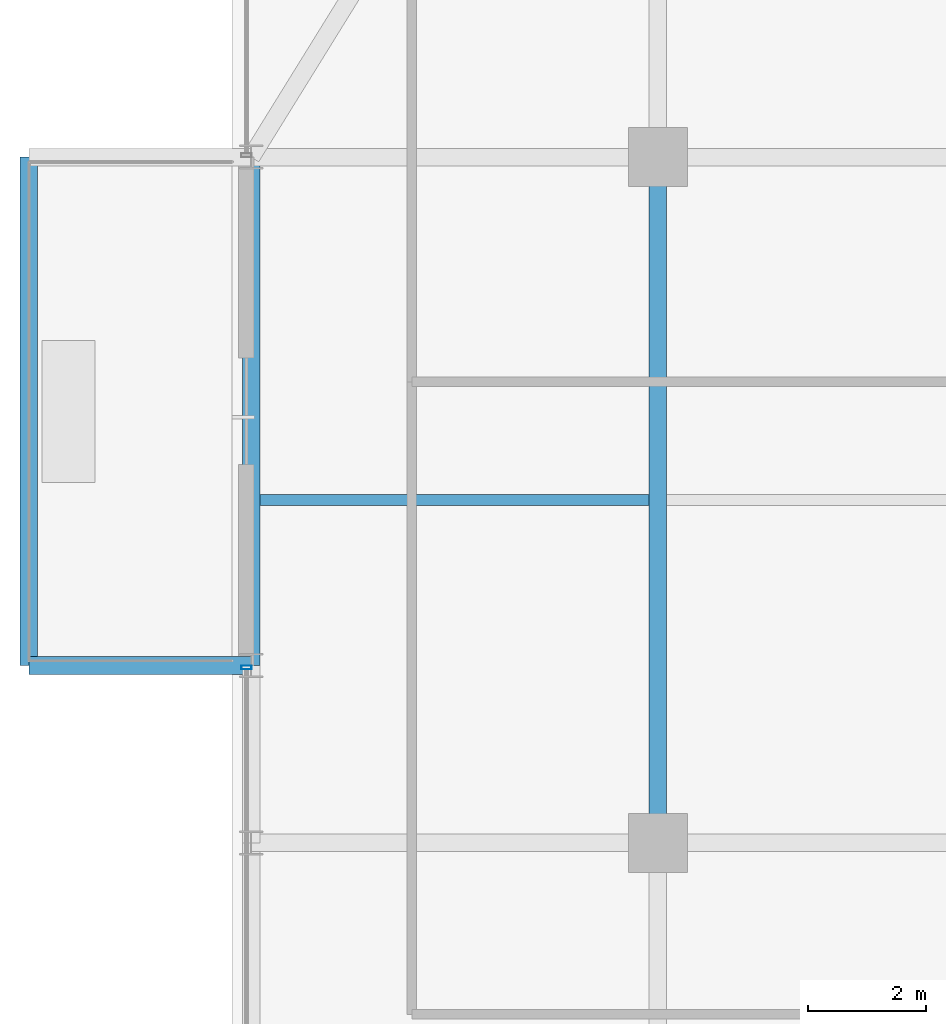
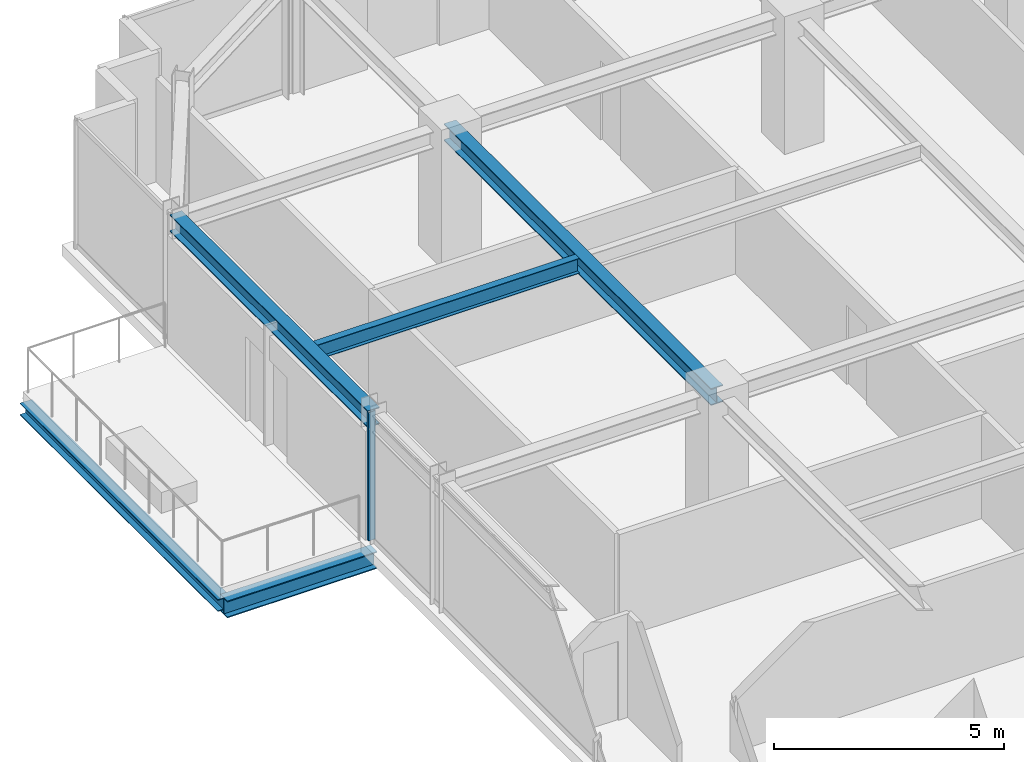
# One storey, part 18 of 36: 5 beams, 1 member, 1 element without a shape of its own.
"""IFC4 building model written with IfcOpenShell, lengths in metres."""

import ifcopenshell
import ifcopenshell.guid

model = None  # the IFC model being written
_history = None  # IfcOwnerHistory: only IFC2X3 demands one
_inside = {}  # id of a spatial element -> (the spatial element, [elements in it])
_under = {}  # id of a project, library or spatial element -> (it, [spatial elements below it])
_declared = {}  # id of a project -> (the project, [libraries it declares])
_typed = {}  # id of a type object -> (the type object, [elements of that type])
_made_of = {}  # id of a material, layer set ... -> (it, [elements and type objects made of it])


def new_model(schema):
    """Start an empty IFC model of exactly this schema.

    Asked for "IFC4X3", IfcOpenShell would pick the latest addendum, in which some entities
    have other attributes; the version numbers below select the first issue.
    IFC2X3 requires an IfcOwnerHistory on every rooted entity: one is made here for all.
    """
    global model, _history
    if schema == "IFC4X3":
        model = ifcopenshell.file(schema_version=(4, 3, 0, 0))
    else:
        model = ifcopenshell.file(schema=schema)
    _inside.clear()
    _under.clear()
    _declared.clear()
    _typed.clear()
    _made_of.clear()
    _history = None
    if model.schema == "IFC2X3":
        org = make("IfcOrganization", Name="unknown")
        user = make(
            "IfcPersonAndOrganization",
            ThePerson=make("IfcPerson", FamilyName="unknown"),
            TheOrganization=org,
        )
        app = make(
            "IfcApplication",
            ApplicationDeveloper=org,
            Version="unknown",
            ApplicationFullName="unknown",
            ApplicationIdentifier="unknown",
        )
        _history = make(
            "IfcOwnerHistory",
            OwningUser=user,
            OwningApplication=app,
            ChangeAction="ADDED",
            CreationDate=0,
        )
    return model


def make(cls, **values):
    """One entity of the class cls with the attributes given. An attribute that is None is left unset."""
    return model.create_entity(
        cls, **{name: value for name, value in values.items() if value is not None}
    )


def rooted(cls, **values):
    """An entity with a GlobalId (a new one), such as an element, a storey or a relation."""
    return make(cls, GlobalId=ifcopenshell.guid.new(), OwnerHistory=_history, **values)


def si_unit(unit_type, name, prefix=None):
    """IfcSIUnit, for example si_unit("LENGTHUNIT", "METRE", prefix="MILLI")."""
    return make("IfcSIUnit", UnitType=unit_type, Prefix=prefix, Name=name)


def assignment(units):
    """IfcUnitAssignment: the units of a project."""
    return None if units is None else make("IfcUnitAssignment", Units=units)


def point(xyz):
    """IfcCartesianPoint."""
    return None if xyz is None else make("IfcCartesianPoint", Coordinates=xyz)


def direction(xyz):
    """IfcDirection."""
    return None if xyz is None else make("IfcDirection", DirectionRatios=xyz)


def frame(location, z_axis=None, x_axis=None):
    """IfcAxis2Placement3D, a coordinate frame: its origin and axes. An axis left out is left unset."""
    return make(
        "IfcAxis2Placement3D",
        Location=point(location),
        Axis=direction(z_axis),
        RefDirection=direction(x_axis),
    )


def frame_2d(location, x_axis=None):
    """IfcAxis2Placement2D, a coordinate frame in the plane: its origin and x axis."""
    return make(
        "IfcAxis2Placement2D", Location=point(location), RefDirection=direction(x_axis)
    )


def origin():
    """The frame at (0, 0, 0) with its axes left unset."""
    return frame((0.0, 0.0, 0.0))


def origin_2d():
    """The frame at (0, 0) in the plane with its x axis left unset."""
    return frame_2d((0.0, 0.0))


def place(relative_to, where):
    """IfcLocalPlacement: puts the frame where relative to a parent placement (None: the world)."""
    return make(
        "IfcLocalPlacement", PlacementRelTo=relative_to, RelativePlacement=where
    )


def context(
    kind, dimensions, precision=None, world=None, true_north=None, identifier=None
):
    """IfcGeometricRepresentationContext, for example the 3D "Model" context."""
    return make(
        "IfcGeometricRepresentationContext",
        ContextIdentifier=identifier,
        ContextType=kind,
        CoordinateSpaceDimension=dimensions,
        Precision=precision,
        WorldCoordinateSystem=world,
        TrueNorth=true_north,
    )


def subcontext(parent, identifier, kind, view, scale=None):
    """IfcGeometricRepresentationSubContext, for example "Body" below "Model"."""
    return make(
        "IfcGeometricRepresentationSubContext",
        ContextIdentifier=identifier,
        ContextType=kind,
        ParentContext=parent,
        TargetScale=scale,
        TargetView=view,
    )


def project(units=None, contexts=None):
    """IfcProject with its units and contexts."""
    return rooted(
        "IfcProject",
        Name="project",
        RepresentationContexts=contexts,
        UnitsInContext=assignment(units),
    )


def spatial(cls, under=None, at=None, **own):
    """A site, building, storey or space (cls), placed at a placement, below another one or the project."""
    s = rooted(cls, ObjectPlacement=at, **own)
    if under is not None:
        _under.setdefault(under.id(), (under, []))[1].append(s)
    return s


def profile(cls, at=None, kind="AREA", **sizes):
    """A parametric profile (cls). Its sizes go by their IFC names, for example OverallWidth=200.0."""
    return make(cls, ProfileType=kind, Position=at, **sizes)


def hollow_rectangle(**sizes):
    """IfcRectangleHollowProfileDef."""
    return profile("IfcRectangleHollowProfileDef", **sizes)


def i_section(**sizes):
    """IfcIShapeProfileDef."""
    return profile("IfcIShapeProfileDef", **sizes)


def extrude(swept, where, along, depth):
    """IfcExtrudedAreaSolid: the profile swept, set in the frame where, extruded along a direction by depth."""
    return make(
        "IfcExtrudedAreaSolid",
        SweptArea=swept,
        Position=where,
        ExtrudedDirection=direction(along),
        Depth=depth,
    )


def shape(context_of_items, identifier, shape_type, items):
    """IfcShapeRepresentation: the items that make up one representation, for example the "Body"."""
    return make(
        "IfcShapeRepresentation",
        ContextOfItems=context_of_items,
        RepresentationIdentifier=identifier,
        RepresentationType=shape_type,
        Items=items,
    )


def source(mapping_origin, context_of_items, identifier, shape_type, items):
    """IfcRepresentationMap: a shape defined once, which mapped items show again and again."""
    return make(
        "IfcRepresentationMap",
        MappingOrigin=mapping_origin,
        MappedRepresentation=shape(context_of_items, identifier, shape_type, items),
    )


def transform(
    local_origin,
    x_axis=None,
    y_axis=None,
    z_axis=None,
    scale=None,
    scale2=None,
    scale3=None,
    uniform=True,
):
    """IfcCartesianTransformationOperator3D, or its non-uniform kind. x_axis, y_axis, z_axis: its Axis1, 2, 3."""
    if uniform:
        return make(
            "IfcCartesianTransformationOperator3D",
            Axis1=direction(x_axis),
            Axis2=direction(y_axis),
            LocalOrigin=point(local_origin),
            Scale=scale,
            Axis3=direction(z_axis),
        )
    return make(
        "IfcCartesianTransformationOperator3DnonUniform",
        Axis1=direction(x_axis),
        Axis2=direction(y_axis),
        LocalOrigin=point(local_origin),
        Scale=scale,
        Axis3=direction(z_axis),
        Scale2=scale2,
        Scale3=scale3,
    )


def mapped(mapping_source, mapping_target):
    """IfcMappedItem: shows the shape of a source again, moved by a transform."""
    return make(
        "IfcMappedItem", MappingSource=mapping_source, MappingTarget=mapping_target
    )


def material(Name=None, Category=None):
    """IfcMaterial."""
    return make("IfcMaterial", Name=Name, Category=Category)


def material_profile(
    of_material, cross_section, Name=None, Category=None, Priority=None
):
    """IfcMaterialProfile: a cross section and its material."""
    return make(
        "IfcMaterialProfile",
        Name=Name,
        Material=of_material,
        Profile=cross_section,
        Priority=Priority,
        Category=Category,
    )


def profile_set(profiles, Name=None, composite=None):
    """IfcMaterialProfileSet."""
    return make(
        "IfcMaterialProfileSet",
        Name=Name,
        MaterialProfiles=profiles,
        CompositeProfile=composite,
    )


def made_of(thing, what):
    """Note that an element or type object is made of a material, layer set ...; save() writes the relation."""
    if what is not None:
        _made_of.setdefault(what.id(), (what, []))[1].append(thing)
    return thing


def type_object(cls, material=None, **own):
    """A type object (cls), such as IfcWallType, which elements share."""
    return made_of(rooted(cls, **own), material)


def element(
    cls,
    number,
    at=None,
    inside=None,
    cuts=None,
    type_object=None,
    material=None,
    context=None,
    identifier="Body",
    shape_type=None,
    held_by="IfcProductDefinitionShape",
    body=None,
    shapes=None,
    **own,
):
    """One element of the class cls, such as IfcWall. Its Tag is "e" and its number.

    at: its placement. inside: the storey or other place that contains it. cuts: it is an
    opening in that element (IfcRelVoidsElement). A single representation is given by context,
    identifier, shape_type and body (its items); several are given by shapes. held_by: the class
    of the entity that holds the representations. save() writes the other relations.
    """
    e = rooted(cls, Tag="e%d" % number, ObjectPlacement=at, **own)
    if body is not None:
        shapes = [shape(context, identifier, shape_type, body)]
    if shapes is not None:
        e.Representation = make(held_by, Representations=shapes)
    if inside is not None:
        _inside.setdefault(inside.id(), (inside, []))[1].append(e)
    if cuts is not None:
        rooted(
            "IfcRelVoidsElement", RelatingBuildingElement=cuts, RelatedOpeningElement=e
        )
    if type_object is not None:
        _typed.setdefault(type_object.id(), (type_object, []))[1].append(e)
    return made_of(e, material)


def aggregate(whole, parts):
    """IfcRelAggregates: a whole, such as a stair, and the parts it consists of."""
    return rooted("IfcRelAggregates", RelatingObject=whole, RelatedObjects=parts)


def save(model, path):
    """Write the relations noted so far, then the file.

    IfcRelAggregates (storeys below a building ...), IfcRelContainedInSpatialStructure (elements
    in a storey), IfcRelDefinesByType, IfcRelAssociatesMaterial and IfcRelDeclares: one each for
    every whole, place, type object, material and project.
    """
    for whole, parts in _under.values():
        aggregate(whole, parts)
    for where, things in _inside.values():
        rooted(
            "IfcRelContainedInSpatialStructure",
            RelatedElements=things,
            RelatingStructure=where,
        )
    for kind, things in _typed.values():
        rooted("IfcRelDefinesByType", RelatedObjects=things, RelatingType=kind)
    for what, things in _made_of.values():
        rooted("IfcRelAssociatesMaterial", RelatedObjects=things, RelatingMaterial=what)
    for by, libraries in _declared.values():
        rooted("IfcRelDeclares", RelatingContext=by, RelatedDefinitions=libraries)
    model.write(path)


model = new_model("IFC4")

# Units and contexts
model_context = context("Model", 3, precision=1e-05, world=origin(), true_north=direction((0.0, 1.0)))
body_context = subcontext(model_context, "Body", "Model", "MODEL_VIEW")
ifc_project = project(units=[si_unit("LENGTHUNIT", "METRE"), si_unit("AREAUNIT", "SQUARE_METRE"), si_unit("VOLUMEUNIT", "CUBIC_METRE"), si_unit("PLANEANGLEUNIT", "RADIAN"), si_unit("MASSUNIT", "GRAM", prefix="KILO")], contexts=[model_context])

# Site, building, storey
site_placement = place(None, origin())
site = spatial("IfcSite", under=ifc_project, at=site_placement, CompositionType="ELEMENT")
building_placement = place(site_placement, origin())
building = spatial("IfcBuilding", under=site, at=building_placement, Name="Nahalor Promenade Grand Hotel", CompositionType="ELEMENT")
storey_placement = place(building_placement, frame((0.0, 0.0, 241.89990234375)))
storey = spatial("IfcBuildingStorey", under=building, at=storey_placement, Name="L62", CompositionType="ELEMENT", Elevation=241.89990234375)

# Beams
ifc_material_1 = material(Name="Steel S355JR", Category="steel")
ifc_material_profile_1 = material_profile(ifc_material_1, i_section(OverallWidth=0.3, OverallDepth=0.32, WebThickness=0.0115, FlangeThickness=0.0205, at=origin_2d()), Name="HEB 320")
ifc_profile_set_1 = profile_set([ifc_material_profile_1], Name="Steel S355JR")
beam_type_1 = type_object("IfcBeamType", Name="Beam-BalcEdge-HEB320", PredefinedType="SPANDREL", material=ifc_profile_set_1)
shared_shape_1 = source(origin(), body_context, "Body", "SweptSolid", [
    extrude(i_section(OverallWidth=0.3, OverallDepth=0.32, WebThickness=0.0115, FlangeThickness=0.0205, at=origin_2d()), origin(), (0.0, 0.0, 1.0), 8.60009765625),
])
beam_1_placement = place(storey_placement, frame((-27.639892578125, 8.39990234375, -0.43994140625), z_axis=(0.0, 1.0, 0.0), x_axis=(-1.0, 0.0, 0.0)))
element("IfcBeam", 1, at=beam_1_placement, inside=storey, type_object=beam_type_1, Name="BM-L62-BC-02-F", PredefinedType="SPANDREL", context=body_context, shape_type="MappedRepresentation", body=[
    mapped(shared_shape_1, transform((0.0, 0.0, 0.0), scale=1.0)),
])
ifc_material_profile_2 = material_profile(ifc_material_1, i_section(OverallWidth=0.3, OverallDepth=0.45, WebThickness=0.014, FlangeThickness=0.026, at=origin_2d()), Name="HEB 450")
ifc_profile_set_2 = profile_set([ifc_material_profile_2], Name="Steel S355JR")
beam_type_2 = type_object("IfcBeamType", Name="Beam-Outrigger-HEB450", PredefinedType="BEAM", material=ifc_profile_set_2)
shared_shape_2 = source(origin(), body_context, "Body", "SweptSolid", [
    extrude(i_section(OverallWidth=0.3, OverallDepth=0.45, WebThickness=0.014, FlangeThickness=0.026, at=origin_2d()), origin(), (0.0, 0.0, 1.0), 3.760009765625),
])
beam_2_placement = place(storey_placement, frame((-27.639892578125, 8.39990234375, -0.5048828125), z_axis=(1.0, 0.0, 0.0), x_axis=(0.0, 1.0, 0.0)))
element("IfcBeam", 2, at=beam_2_placement, inside=storey, type_object=beam_type_2, Name="BM-L62-BC-02-1", PredefinedType="BEAM", context=body_context, shape_type="MappedRepresentation", body=[
    mapped(shared_shape_2, transform((0.0, 0.0, 0.0), scale=1.0)),
])
ifc_material_profile_3 = material_profile(ifc_material_1, i_section(OverallWidth=0.3, OverallDepth=0.45, WebThickness=0.014, FlangeThickness=0.026, at=origin_2d()), Name="HEB 450")
ifc_profile_set_3 = profile_set([ifc_material_profile_3], Name="Steel S355JR")
beam_type_3 = type_object("IfcBeamType", Name="Beam-Spandrel-HEB450", PredefinedType="SPANDREL", material=ifc_profile_set_3)
shared_shape_3 = source(origin(), body_context, "Body", "SweptSolid", [
    extrude(i_section(OverallWidth=0.3, OverallDepth=0.45, WebThickness=0.014, FlangeThickness=0.026, at=origin_2d()), origin(), (0.0, 0.0, 1.0), 8.60009765625),
])
beam_3_placement = place(storey_placement, frame((-23.8798828125, 8.39990234375, 3.18505859375), z_axis=(0.0, 1.0, 0.0), x_axis=(-1.0, 0.0, 0.0)))
element("IfcBeam", 3, at=beam_3_placement, inside=storey, type_object=beam_type_3, Name="BM-L62-SP-W-4", PredefinedType="SPANDREL", context=body_context, shape_type="MappedRepresentation", body=[
    mapped(shared_shape_3, transform((0.0, 0.0, 0.0), scale=1.0)),
])
ifc_material_profile_4 = material_profile(ifc_material_1, i_section(OverallWidth=0.3, OverallDepth=0.45, WebThickness=0.014, FlangeThickness=0.026, at=origin_2d()), Name="HEB 450")
ifc_profile_set_4 = profile_set([ifc_material_profile_4], Name="Steel S355JR")
beam_type_4 = type_object("IfcBeamType", Name="Beam-Girder-HEB450", PredefinedType="BEAM", material=ifc_profile_set_4)
shared_shape_4 = source(origin(), body_context, "Body", "SweptSolid", [
    extrude(i_section(OverallWidth=0.3, OverallDepth=0.45, WebThickness=0.014, FlangeThickness=0.026, at=origin_2d()), origin(), (0.0, 0.0, 1.0), 11.60009765625),
])
beam_4_placement = place(storey_placement, frame((-17.0, 5.39990234375, 3.18505859375), z_axis=(0.0, 1.0, 0.0), x_axis=(-1.0, 0.0, 0.0)))
element("IfcBeam", 4, at=beam_4_placement, inside=storey, type_object=beam_type_4, Name="BM-L62-GY-0-3", PredefinedType="BEAM", context=body_context, shape_type="MappedRepresentation", body=[
    mapped(shared_shape_4, transform((0.0, 0.0, 0.0), scale=1.0)),
])
ifc_material_profile_5 = material_profile(ifc_material_1, i_section(OverallWidth=0.18, OverallDepth=0.4, WebThickness=0.0086, FlangeThickness=0.0135, at=origin_2d()), Name="IPE 400")
ifc_profile_set_5 = profile_set([ifc_material_profile_5], Name="Steel S355JR")
beam_type_5 = type_object("IfcBeamType", Name="Beam-Joist-IPE400", PredefinedType="JOIST", material=ifc_profile_set_5)
shared_shape_5 = source(origin(), body_context, "Body", "SweptSolid", [
    extrude(i_section(OverallWidth=0.18, OverallDepth=0.4, WebThickness=0.0086, FlangeThickness=0.0135, at=origin_2d()), origin(), (0.0, 0.0, 1.0), 6.580078125),
])
beam_5_placement = place(storey_placement, frame((-23.72998046875, 11.199951171875, 3.210205078125), z_axis=(1.0, 0.0, 0.0), x_axis=(0.0, 1.0, 0.0)))
element("IfcBeam", 5, at=beam_5_placement, inside=storey, type_object=beam_type_5, Name="BM-L62-JSW-1-0", PredefinedType="JOIST", context=body_context, shape_type="MappedRepresentation", body=[
    mapped(shared_shape_5, transform((0.0, 0.0, 0.0), scale=1.0)),
])

# Curtain wall, member
ifc_material_2 = material(Name="Anodised Bronze Aluminium EN AW-6063 T6", Category="aluminium")
curtain_wall_type = type_object("IfcCurtainWallType", Name="CW2 Typical Hotel Flush Bronze Unitised Curtain Wall", PredefinedType="USERDEFINED", material=ifc_material_2)
curtain_wall_placement = place(storey_placement, origin())
curtain_wall = element("IfcCurtainWall", 6, at=curtain_wall_placement, inside=storey, type_object=curtain_wall_type, Name="L62 Curtain Wall CW-L62-W-1", ObjectType="UNITISED_CURTAIN_WALL", PredefinedType="USERDEFINED")
ifc_material_profile_6 = material_profile(ifc_material_2, hollow_rectangle(XDim=0.065, YDim=0.18, WallThickness=0.004, at=origin_2d()), Name="CWM 65x180x4")
ifc_profile_set_6 = profile_set([ifc_material_profile_6], Name="Anodised Bronze Aluminium EN AW-6063 T6")
member_type = type_object("IfcMemberType", Name="CWM2 Typical Bronze Mullion 65x180", PredefinedType="MULLION", material=ifc_profile_set_6)
shared_shape_6 = source(origin(), body_context, "Body", "SweptSolid", [
    extrude(hollow_rectangle(XDim=0.065, YDim=0.18, WallThickness=0.004, at=origin_2d()), origin(), (0.0, 0.0, 1.0), 3.41015625),
])
member_placement = place(storey_placement, frame((-23.9599609375, 8.367431640625, 0.0), z_axis=(0.0, 0.0, 1.0), x_axis=(0.0, 1.0, 0.0)))
member = element("IfcMember", 7, at=member_placement, type_object=member_type, Name="CW-L62-W-1 Mullion 3", PredefinedType="MULLION", context=body_context, shape_type="MappedRepresentation", body=[
    mapped(shared_shape_6, transform((0.0, 0.0, 0.0), scale=1.0)),
])
aggregate(curtain_wall, [member])

save(model, "model.ifc")
